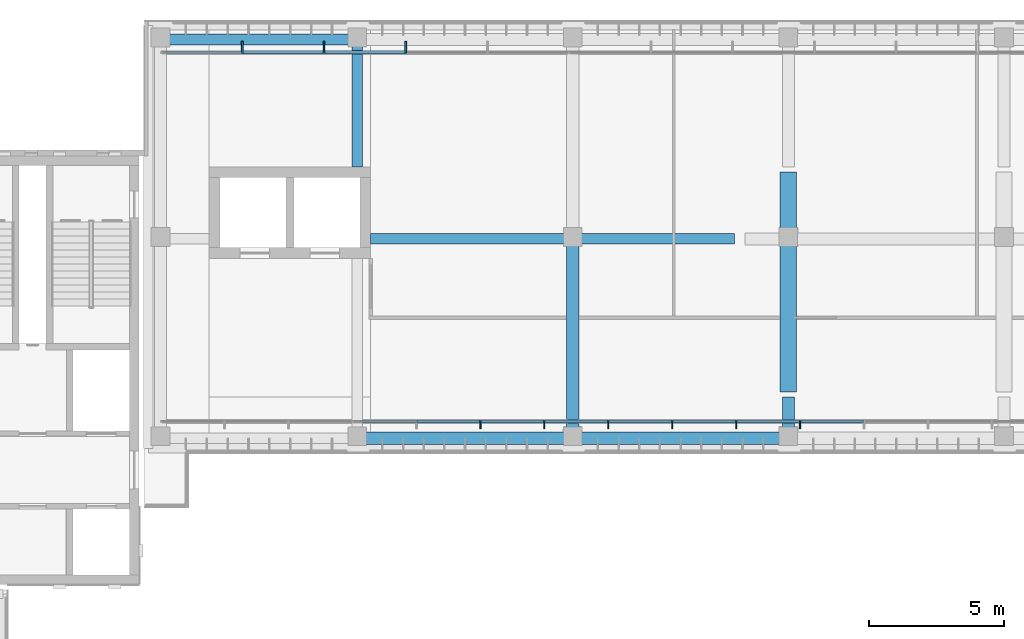
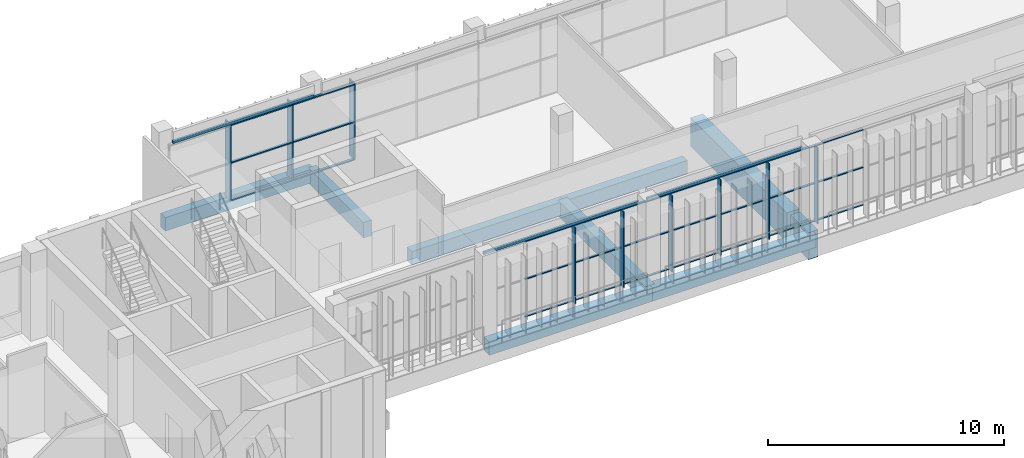
# One storey, part 21 of 73: 36 members, 12 beams, 2 elements without a shape of their own.
"""IFC4 building model written with IfcOpenShell, lengths in metres."""

import ifcopenshell
import ifcopenshell.guid

model = None  # the IFC model being written
_history = None  # IfcOwnerHistory: only IFC2X3 demands one
_inside = {}  # id of a spatial element -> (the spatial element, [elements in it])
_under = {}  # id of a project, library or spatial element -> (it, [spatial elements below it])
_declared = {}  # id of a project -> (the project, [libraries it declares])
_typed = {}  # id of a type object -> (the type object, [elements of that type])
_made_of = {}  # id of a material, layer set ... -> (it, [elements and type objects made of it])


def new_model(schema):
    """Start an empty IFC model of exactly this schema.

    Asked for "IFC4X3", IfcOpenShell would pick the latest addendum, in which some entities
    have other attributes; the version numbers below select the first issue.
    IFC2X3 requires an IfcOwnerHistory on every rooted entity: one is made here for all.
    """
    global model, _history
    if schema == "IFC4X3":
        model = ifcopenshell.file(schema_version=(4, 3, 0, 0))
    else:
        model = ifcopenshell.file(schema=schema)
    _inside.clear()
    _under.clear()
    _declared.clear()
    _typed.clear()
    _made_of.clear()
    _history = None
    if model.schema == "IFC2X3":
        org = make("IfcOrganization", Name="unknown")
        user = make(
            "IfcPersonAndOrganization",
            ThePerson=make("IfcPerson", FamilyName="unknown"),
            TheOrganization=org,
        )
        app = make(
            "IfcApplication",
            ApplicationDeveloper=org,
            Version="unknown",
            ApplicationFullName="unknown",
            ApplicationIdentifier="unknown",
        )
        _history = make(
            "IfcOwnerHistory",
            OwningUser=user,
            OwningApplication=app,
            ChangeAction="ADDED",
            CreationDate=0,
        )
    return model


def make(cls, **values):
    """One entity of the class cls with the attributes given. An attribute that is None is left unset."""
    return model.create_entity(
        cls, **{name: value for name, value in values.items() if value is not None}
    )


def rooted(cls, **values):
    """An entity with a GlobalId (a new one), such as an element, a storey or a relation."""
    return make(cls, GlobalId=ifcopenshell.guid.new(), OwnerHistory=_history, **values)


def si_unit(unit_type, name, prefix=None):
    """IfcSIUnit, for example si_unit("LENGTHUNIT", "METRE", prefix="MILLI")."""
    return make("IfcSIUnit", UnitType=unit_type, Prefix=prefix, Name=name)


def assignment(units):
    """IfcUnitAssignment: the units of a project."""
    return None if units is None else make("IfcUnitAssignment", Units=units)


def point(xyz):
    """IfcCartesianPoint."""
    return None if xyz is None else make("IfcCartesianPoint", Coordinates=xyz)


def direction(xyz):
    """IfcDirection."""
    return None if xyz is None else make("IfcDirection", DirectionRatios=xyz)


def frame(location, z_axis=None, x_axis=None):
    """IfcAxis2Placement3D, a coordinate frame: its origin and axes. An axis left out is left unset."""
    return make(
        "IfcAxis2Placement3D",
        Location=point(location),
        Axis=direction(z_axis),
        RefDirection=direction(x_axis),
    )


def frame_2d(location, x_axis=None):
    """IfcAxis2Placement2D, a coordinate frame in the plane: its origin and x axis."""
    return make(
        "IfcAxis2Placement2D", Location=point(location), RefDirection=direction(x_axis)
    )


def origin():
    """The frame at (0, 0, 0) with its axes left unset."""
    return frame((0.0, 0.0, 0.0))


def origin_2d():
    """The frame at (0, 0) in the plane with its x axis left unset."""
    return frame_2d((0.0, 0.0))


def place(relative_to, where):
    """IfcLocalPlacement: puts the frame where relative to a parent placement (None: the world)."""
    return make(
        "IfcLocalPlacement", PlacementRelTo=relative_to, RelativePlacement=where
    )


def context(
    kind, dimensions, precision=None, world=None, true_north=None, identifier=None
):
    """IfcGeometricRepresentationContext, for example the 3D "Model" context."""
    return make(
        "IfcGeometricRepresentationContext",
        ContextIdentifier=identifier,
        ContextType=kind,
        CoordinateSpaceDimension=dimensions,
        Precision=precision,
        WorldCoordinateSystem=world,
        TrueNorth=true_north,
    )


def subcontext(parent, identifier, kind, view, scale=None):
    """IfcGeometricRepresentationSubContext, for example "Body" below "Model"."""
    return make(
        "IfcGeometricRepresentationSubContext",
        ContextIdentifier=identifier,
        ContextType=kind,
        ParentContext=parent,
        TargetScale=scale,
        TargetView=view,
    )


def project(units=None, contexts=None):
    """IfcProject with its units and contexts."""
    return rooted(
        "IfcProject",
        Name="project",
        RepresentationContexts=contexts,
        UnitsInContext=assignment(units),
    )


def spatial(cls, under=None, at=None, **own):
    """A site, building, storey or space (cls), placed at a placement, below another one or the project."""
    s = rooted(cls, ObjectPlacement=at, **own)
    if under is not None:
        _under.setdefault(under.id(), (under, []))[1].append(s)
    return s


def profile(cls, at=None, kind="AREA", **sizes):
    """A parametric profile (cls). Its sizes go by their IFC names, for example OverallWidth=200.0."""
    return make(cls, ProfileType=kind, Position=at, **sizes)


def rectangle(**sizes):
    """IfcRectangleProfileDef."""
    return profile("IfcRectangleProfileDef", **sizes)


def hollow_rectangle(**sizes):
    """IfcRectangleHollowProfileDef."""
    return profile("IfcRectangleHollowProfileDef", **sizes)


def extrude(swept, where, along, depth):
    """IfcExtrudedAreaSolid: the profile swept, set in the frame where, extruded along a direction by depth."""
    return make(
        "IfcExtrudedAreaSolid",
        SweptArea=swept,
        Position=where,
        ExtrudedDirection=direction(along),
        Depth=depth,
    )


def shape(context_of_items, identifier, shape_type, items):
    """IfcShapeRepresentation: the items that make up one representation, for example the "Body"."""
    return make(
        "IfcShapeRepresentation",
        ContextOfItems=context_of_items,
        RepresentationIdentifier=identifier,
        RepresentationType=shape_type,
        Items=items,
    )


def material(Name=None, Category=None):
    """IfcMaterial."""
    return make("IfcMaterial", Name=Name, Category=Category)


def material_profile(
    of_material, cross_section, Name=None, Category=None, Priority=None
):
    """IfcMaterialProfile: a cross section and its material."""
    return make(
        "IfcMaterialProfile",
        Name=Name,
        Material=of_material,
        Profile=cross_section,
        Priority=Priority,
        Category=Category,
    )


def profile_set(profiles, Name=None, composite=None):
    """IfcMaterialProfileSet."""
    return make(
        "IfcMaterialProfileSet",
        Name=Name,
        MaterialProfiles=profiles,
        CompositeProfile=composite,
    )


def made_of(thing, what):
    """Note that an element or type object is made of a material, layer set ...; save() writes the relation."""
    if what is not None:
        _made_of.setdefault(what.id(), (what, []))[1].append(thing)
    return thing


def type_object(cls, material=None, **own):
    """A type object (cls), such as IfcWallType, which elements share."""
    return made_of(rooted(cls, **own), material)


def element(
    cls,
    number,
    at=None,
    inside=None,
    cuts=None,
    type_object=None,
    material=None,
    context=None,
    identifier="Body",
    shape_type=None,
    held_by="IfcProductDefinitionShape",
    body=None,
    shapes=None,
    **own,
):
    """One element of the class cls, such as IfcWall. Its Tag is "e" and its number.

    at: its placement. inside: the storey or other place that contains it. cuts: it is an
    opening in that element (IfcRelVoidsElement). A single representation is given by context,
    identifier, shape_type and body (its items); several are given by shapes. held_by: the class
    of the entity that holds the representations. save() writes the other relations.
    """
    e = rooted(cls, Tag="e%d" % number, ObjectPlacement=at, **own)
    if body is not None:
        shapes = [shape(context, identifier, shape_type, body)]
    if shapes is not None:
        e.Representation = make(held_by, Representations=shapes)
    if inside is not None:
        _inside.setdefault(inside.id(), (inside, []))[1].append(e)
    if cuts is not None:
        rooted(
            "IfcRelVoidsElement", RelatingBuildingElement=cuts, RelatedOpeningElement=e
        )
    if type_object is not None:
        _typed.setdefault(type_object.id(), (type_object, []))[1].append(e)
    return made_of(e, material)


def aggregate(whole, parts):
    """IfcRelAggregates: a whole, such as a stair, and the parts it consists of."""
    return rooted("IfcRelAggregates", RelatingObject=whole, RelatedObjects=parts)


def save(model, path):
    """Write the relations noted so far, then the file.

    IfcRelAggregates (storeys below a building ...), IfcRelContainedInSpatialStructure (elements
    in a storey), IfcRelDefinesByType, IfcRelAssociatesMaterial and IfcRelDeclares: one each for
    every whole, place, type object, material and project.
    """
    for whole, parts in _under.values():
        aggregate(whole, parts)
    for where, things in _inside.values():
        rooted(
            "IfcRelContainedInSpatialStructure",
            RelatedElements=things,
            RelatingStructure=where,
        )
    for kind, things in _typed.values():
        rooted("IfcRelDefinesByType", RelatedObjects=things, RelatingType=kind)
    for what, things in _made_of.values():
        rooted("IfcRelAssociatesMaterial", RelatedObjects=things, RelatingMaterial=what)
    for by, libraries in _declared.values():
        rooted("IfcRelDeclares", RelatingContext=by, RelatedDefinitions=libraries)
    model.write(path)


model = new_model("IFC4")

# Units and contexts
model_context = context("Model", 3, precision=1e-05, world=origin(), true_north=direction((0.0, 1.0)))
body_context = subcontext(model_context, "Body", "Model", "MODEL_VIEW")
ifc_project = project(units=[si_unit("LENGTHUNIT", "METRE"), si_unit("AREAUNIT", "SQUARE_METRE"), si_unit("VOLUMEUNIT", "CUBIC_METRE"), si_unit("PLANEANGLEUNIT", "RADIAN"), si_unit("MASSUNIT", "GRAM", prefix="KILO")], contexts=[model_context])

# Site, building, storey
site_placement = place(None, origin())
site = spatial("IfcSite", under=ifc_project, at=site_placement, CompositionType="ELEMENT")
building_placement = place(site_placement, origin())
building = spatial("IfcBuilding", under=site, at=building_placement, Name="Lantern Court Media Centre", CompositionType="ELEMENT")
storey_placement = place(building_placement, frame((0.0, 0.0, 24.0)))
storey = spatial("IfcBuildingStorey", under=building, at=storey_placement, Name="L05", CompositionType="ELEMENT", Elevation=24.0)

# Curtain wall, members
ifc_material_1 = material(Name="Curtain wall bay 2400")
curtain_wall_type_1 = type_object("IfcCurtainWallType", Name="Curtain wall bay 2400", PredefinedType="NOTDEFINED", material=ifc_material_1)
curtain_wall_1_placement = place(storey_placement, origin())
curtain_wall_1 = element("IfcCurtainWall", 1, at=curtain_wall_1_placement, inside=storey, type_object=curtain_wall_type_1, Name="Curtain wall N inner L05", PredefinedType="NOTDEFINED")
ifc_material_2 = material(Name="Anodised aluminium", Category="aluminium")
ifc_material_profile_1 = material_profile(ifc_material_2, rectangle(XDim=0.300048828125, YDim=0.050048828125, at=origin_2d()), Name="AL 50x300")
ifc_profile_set_1 = profile_set([ifc_material_profile_1], Name="Anodised aluminium")
member_type_1 = type_object("IfcMemberType", Name="Curtain wall mullion 50x300", PredefinedType="MULLION", material=ifc_profile_set_1)
member_1_placement = place(storey_placement, frame((36.569580078125, 102.030029296875, 0.0), z_axis=(0.0, 0.0, 1.0), x_axis=(0.0, 1.0, 0.0)))
member_1 = element("IfcMember", 2, at=member_1_placement, type_object=member_type_1, Name="CW2 mullion 6", PredefinedType="MULLION", context=body_context, shape_type="SweptSolid", body=[
    extrude(rectangle(XDim=0.300048828125, YDim=0.050048828125, at=origin_2d()), origin(), (0.0, 0.0, 1.0), 3.949951171875),
])
member_2_placement = place(storey_placement, frame((38.943359375, 102.030029296875, 0.0), z_axis=(0.0, 0.0, 1.0), x_axis=(0.0, 1.0, 0.0)))
member_2 = element("IfcMember", 3, at=member_2_placement, type_object=member_type_1, Name="CW2 mullion 7", PredefinedType="MULLION", context=body_context, shape_type="SweptSolid", body=[
    extrude(rectangle(XDim=0.300048828125, YDim=0.050048828125, at=origin_2d()), origin(), (0.0, 0.0, 1.0), 3.949951171875),
])
member_3_placement = place(storey_placement, frame((41.3173828125, 102.030029296875, 0.0), z_axis=(0.0, 0.0, 1.0), x_axis=(0.0, 1.0, 0.0)))
member_3 = element("IfcMember", 4, at=member_3_placement, type_object=member_type_1, Name="CW2 mullion 8", PredefinedType="MULLION", context=body_context, shape_type="SweptSolid", body=[
    extrude(rectangle(XDim=0.300048828125, YDim=0.050048828125, at=origin_2d()), origin(), (0.0, 0.0, 1.0), 3.949951171875),
])
member_4_placement = place(storey_placement, frame((43.69140625, 102.030029296875, 0.0), z_axis=(0.0, 0.0, 1.0), x_axis=(0.0, 1.0, 0.0)))
member_4 = element("IfcMember", 5, at=member_4_placement, type_object=member_type_1, Name="CW2 mullion 9", PredefinedType="MULLION", context=body_context, shape_type="SweptSolid", body=[
    extrude(rectangle(XDim=0.300048828125, YDim=0.050048828125, at=origin_2d()), origin(), (0.0, 0.0, 1.0), 3.949951171875),
])
member_5_placement = place(storey_placement, frame((46.065185546875, 102.030029296875, 0.0), z_axis=(0.0, 0.0, 1.0), x_axis=(0.0, 1.0, 0.0)))
member_5 = element("IfcMember", 6, at=member_5_placement, type_object=member_type_1, Name="CW2 mullion 10", PredefinedType="MULLION", context=body_context, shape_type="SweptSolid", body=[
    extrude(rectangle(XDim=0.300048828125, YDim=0.050048828125, at=origin_2d()), origin(), (0.0, 0.0, 1.0), 3.949951171875),
])
member_6_placement = place(storey_placement, frame((48.439208984375, 102.030029296875, 0.0), z_axis=(0.0, 0.0, 1.0), x_axis=(0.0, 1.0, 0.0)))
member_6 = element("IfcMember", 7, at=member_6_placement, type_object=member_type_1, Name="CW2 mullion 11", PredefinedType="MULLION", context=body_context, shape_type="SweptSolid", body=[
    extrude(rectangle(XDim=0.300048828125, YDim=0.050048828125, at=origin_2d()), origin(), (0.0, 0.0, 1.0), 3.949951171875),
])

ifc_material_3 = material(Name="Curtain wall bay 3000")
curtain_wall_type_2 = type_object("IfcCurtainWallType", Name="Curtain wall bay 3000", PredefinedType="NOTDEFINED", material=ifc_material_3)
curtain_wall_2_placement = place(storey_placement, origin())
curtain_wall_2 = element("IfcCurtainWall", 8, at=curtain_wall_2_placement, inside=storey, type_object=curtain_wall_type_2, Name="Curtain wall N outer L05", PredefinedType="NOTDEFINED")
ifc_material_profile_2 = material_profile(ifc_material_2, rectangle(XDim=0.449951171875, YDim=0.06005859375, at=origin_2d()), Name="AL 60x450")
ifc_profile_set_2 = profile_set([ifc_material_profile_2], Name="Anodised aluminium")
member_type_2 = type_object("IfcMemberType", Name="Curtain wall mullion 60x450", PredefinedType="MULLION", material=ifc_profile_set_2)
member_7_placement = place(storey_placement, frame((27.7333984375, 116.044921875, 0.0), z_axis=(0.0, 0.0, 1.0), x_axis=(0.0, 1.0, 0.0)))
member_7 = element("IfcMember", 9, at=member_7_placement, type_object=member_type_2, Name="CW1 mullion 2", PredefinedType="MULLION", context=body_context, shape_type="SweptSolid", body=[
    extrude(rectangle(XDim=0.449951171875, YDim=0.06005859375, at=origin_2d()), origin(), (0.0, 0.0, 1.0), 3.949951171875),
])
member_8_placement = place(storey_placement, frame((30.7666015625, 116.044921875, 0.0), z_axis=(0.0, 0.0, 1.0), x_axis=(0.0, 1.0, 0.0)))
member_8 = element("IfcMember", 10, at=member_8_placement, type_object=member_type_2, Name="CW1 mullion 3", PredefinedType="MULLION", context=body_context, shape_type="SweptSolid", body=[
    extrude(rectangle(XDim=0.449951171875, YDim=0.06005859375, at=origin_2d()), origin(), (0.0, 0.0, 1.0), 3.949951171875),
])
member_9_placement = place(storey_placement, frame((33.800048828125, 116.044921875, 0.0), z_axis=(0.0, 0.0, 1.0), x_axis=(0.0, 1.0, 0.0)))
member_9 = element("IfcMember", 11, at=member_9_placement, type_object=member_type_2, Name="CW1 mullion 4", PredefinedType="MULLION", context=body_context, shape_type="SweptSolid", body=[
    extrude(rectangle(XDim=0.449951171875, YDim=0.06005859375, at=origin_2d()), origin(), (0.0, 0.0, 1.0), 3.949951171875),
])

# Member
ifc_material_profile_3 = material_profile(ifc_material_2, rectangle(XDim=0.10009765625, YDim=0.050048828125, at=origin_2d()), Name="AL 50x100")
ifc_profile_set_3 = profile_set([ifc_material_profile_3], Name="Anodised aluminium")
member_type_3 = type_object("IfcMemberType", Name="Curtain wall transom 100x50", PredefinedType="USERDEFINED", material=ifc_profile_set_3)
member_10_placement = place(storey_placement, frame((34.220703125, 102.14990234375, 0.02490234375), z_axis=(1.0, 0.0, 0.0), x_axis=(0.0, 1.0, 0.0)))
member_10 = element("IfcMember", 12, at=member_10_placement, type_object=member_type_3, Name="CW2 transom 5.1", ObjectType="TRANSOM", PredefinedType="USERDEFINED", context=body_context, shape_type="SweptSolid", body=[
    extrude(rectangle(XDim=0.10009765625, YDim=0.050048828125, at=origin_2d()), origin(), (0.0, 0.0, 1.0), 2.323974609375),
])

member_11_placement = place(storey_placement, frame((34.220703125, 102.14990234375, 1.97509765625), z_axis=(1.0, 0.0, 0.0), x_axis=(0.0, 1.0, 0.0)))
member_11 = element("IfcMember", 13, at=member_11_placement, type_object=member_type_3, Name="CW2 transom 5.2", ObjectType="TRANSOM", PredefinedType="USERDEFINED", context=body_context, shape_type="SweptSolid", body=[
    extrude(rectangle(XDim=0.10009765625, YDim=0.050048828125, at=origin_2d()), origin(), (0.0, 0.0, 1.0), 2.323974609375),
])

member_12_placement = place(storey_placement, frame((34.220703125, 102.14990234375, 3.925048828125), z_axis=(1.0, 0.0, 0.0), x_axis=(0.0, 1.0, 0.0)))
member_12 = element("IfcMember", 14, at=member_12_placement, type_object=member_type_3, Name="CW2 transom 5.3", ObjectType="TRANSOM", PredefinedType="USERDEFINED", context=body_context, shape_type="SweptSolid", body=[
    extrude(rectangle(XDim=0.10009765625, YDim=0.050048828125, at=origin_2d()), origin(), (0.0, 0.0, 1.0), 2.323974609375),
])

member_13_placement = place(storey_placement, frame((36.594482421875, 102.14990234375, 0.02490234375), z_axis=(1.0, 0.0, 0.0), x_axis=(0.0, 1.0, 0.0)))
member_13 = element("IfcMember", 15, at=member_13_placement, type_object=member_type_3, Name="CW2 transom 6.1", ObjectType="TRANSOM", PredefinedType="USERDEFINED", context=body_context, shape_type="SweptSolid", body=[
    extrude(rectangle(XDim=0.10009765625, YDim=0.050048828125, at=origin_2d()), origin(), (0.0, 0.0, 1.0), 2.323974609375),
])

member_14_placement = place(storey_placement, frame((36.594482421875, 102.14990234375, 1.97509765625), z_axis=(1.0, 0.0, 0.0), x_axis=(0.0, 1.0, 0.0)))
member_14 = element("IfcMember", 16, at=member_14_placement, type_object=member_type_3, Name="CW2 transom 6.2", ObjectType="TRANSOM", PredefinedType="USERDEFINED", context=body_context, shape_type="SweptSolid", body=[
    extrude(rectangle(XDim=0.10009765625, YDim=0.050048828125, at=origin_2d()), origin(), (0.0, 0.0, 1.0), 2.323974609375),
])

member_15_placement = place(storey_placement, frame((36.594482421875, 102.14990234375, 3.925048828125), z_axis=(1.0, 0.0, 0.0), x_axis=(0.0, 1.0, 0.0)))
member_15 = element("IfcMember", 17, at=member_15_placement, type_object=member_type_3, Name="CW2 transom 6.3", ObjectType="TRANSOM", PredefinedType="USERDEFINED", context=body_context, shape_type="SweptSolid", body=[
    extrude(rectangle(XDim=0.10009765625, YDim=0.050048828125, at=origin_2d()), origin(), (0.0, 0.0, 1.0), 2.323974609375),
])

member_16_placement = place(storey_placement, frame((38.968505859375, 102.14990234375, 0.02490234375), z_axis=(1.0, 0.0, 0.0), x_axis=(0.0, 1.0, 0.0)))
member_16 = element("IfcMember", 18, at=member_16_placement, type_object=member_type_3, Name="CW2 transom 7.1", ObjectType="TRANSOM", PredefinedType="USERDEFINED", context=body_context, shape_type="SweptSolid", body=[
    extrude(rectangle(XDim=0.10009765625, YDim=0.050048828125, at=origin_2d()), origin(), (0.0, 0.0, 1.0), 2.323974609375),
])

member_17_placement = place(storey_placement, frame((38.968505859375, 102.14990234375, 1.97509765625), z_axis=(1.0, 0.0, 0.0), x_axis=(0.0, 1.0, 0.0)))
member_17 = element("IfcMember", 19, at=member_17_placement, type_object=member_type_3, Name="CW2 transom 7.2", ObjectType="TRANSOM", PredefinedType="USERDEFINED", context=body_context, shape_type="SweptSolid", body=[
    extrude(rectangle(XDim=0.10009765625, YDim=0.050048828125, at=origin_2d()), origin(), (0.0, 0.0, 1.0), 2.323974609375),
])

member_18_placement = place(storey_placement, frame((38.968505859375, 102.14990234375, 3.925048828125), z_axis=(1.0, 0.0, 0.0), x_axis=(0.0, 1.0, 0.0)))
member_18 = element("IfcMember", 20, at=member_18_placement, type_object=member_type_3, Name="CW2 transom 7.3", ObjectType="TRANSOM", PredefinedType="USERDEFINED", context=body_context, shape_type="SweptSolid", body=[
    extrude(rectangle(XDim=0.10009765625, YDim=0.050048828125, at=origin_2d()), origin(), (0.0, 0.0, 1.0), 2.323974609375),
])

member_19_placement = place(storey_placement, frame((41.34228515625, 102.14990234375, 0.02490234375), z_axis=(1.0, 0.0, 0.0), x_axis=(0.0, 1.0, 0.0)))
member_19 = element("IfcMember", 21, at=member_19_placement, type_object=member_type_3, Name="CW2 transom 8.1", ObjectType="TRANSOM", PredefinedType="USERDEFINED", context=body_context, shape_type="SweptSolid", body=[
    extrude(rectangle(XDim=0.10009765625, YDim=0.050048828125, at=origin_2d()), origin(), (0.0, 0.0, 1.0), 2.323974609375),
])

member_20_placement = place(storey_placement, frame((41.34228515625, 102.14990234375, 1.97509765625), z_axis=(1.0, 0.0, 0.0), x_axis=(0.0, 1.0, 0.0)))
member_20 = element("IfcMember", 22, at=member_20_placement, type_object=member_type_3, Name="CW2 transom 8.2", ObjectType="TRANSOM", PredefinedType="USERDEFINED", context=body_context, shape_type="SweptSolid", body=[
    extrude(rectangle(XDim=0.10009765625, YDim=0.050048828125, at=origin_2d()), origin(), (0.0, 0.0, 1.0), 2.323974609375),
])

member_21_placement = place(storey_placement, frame((41.34228515625, 102.14990234375, 3.925048828125), z_axis=(1.0, 0.0, 0.0), x_axis=(0.0, 1.0, 0.0)))
member_21 = element("IfcMember", 23, at=member_21_placement, type_object=member_type_3, Name="CW2 transom 8.3", ObjectType="TRANSOM", PredefinedType="USERDEFINED", context=body_context, shape_type="SweptSolid", body=[
    extrude(rectangle(XDim=0.10009765625, YDim=0.050048828125, at=origin_2d()), origin(), (0.0, 0.0, 1.0), 2.323974609375),
])

member_22_placement = place(storey_placement, frame((43.71630859375, 102.14990234375, 0.02490234375), z_axis=(1.0, 0.0, 0.0), x_axis=(0.0, 1.0, 0.0)))
member_22 = element("IfcMember", 24, at=member_22_placement, type_object=member_type_3, Name="CW2 transom 9.1", ObjectType="TRANSOM", PredefinedType="USERDEFINED", context=body_context, shape_type="SweptSolid", body=[
    extrude(rectangle(XDim=0.10009765625, YDim=0.050048828125, at=origin_2d()), origin(), (0.0, 0.0, 1.0), 2.323974609375),
])

member_23_placement = place(storey_placement, frame((43.71630859375, 102.14990234375, 1.97509765625), z_axis=(1.0, 0.0, 0.0), x_axis=(0.0, 1.0, 0.0)))
member_23 = element("IfcMember", 25, at=member_23_placement, type_object=member_type_3, Name="CW2 transom 9.2", ObjectType="TRANSOM", PredefinedType="USERDEFINED", context=body_context, shape_type="SweptSolid", body=[
    extrude(rectangle(XDim=0.10009765625, YDim=0.050048828125, at=origin_2d()), origin(), (0.0, 0.0, 1.0), 2.323974609375),
])

member_24_placement = place(storey_placement, frame((43.71630859375, 102.14990234375, 3.925048828125), z_axis=(1.0, 0.0, 0.0), x_axis=(0.0, 1.0, 0.0)))
member_24 = element("IfcMember", 26, at=member_24_placement, type_object=member_type_3, Name="CW2 transom 9.3", ObjectType="TRANSOM", PredefinedType="USERDEFINED", context=body_context, shape_type="SweptSolid", body=[
    extrude(rectangle(XDim=0.10009765625, YDim=0.050048828125, at=origin_2d()), origin(), (0.0, 0.0, 1.0), 2.323974609375),
])

member_25_placement = place(storey_placement, frame((46.09033203125, 102.14990234375, 0.02490234375), z_axis=(1.0, 0.0, 0.0), x_axis=(0.0, 1.0, 0.0)))
member_25 = element("IfcMember", 27, at=member_25_placement, type_object=member_type_3, Name="CW2 transom 10.1", ObjectType="TRANSOM", PredefinedType="USERDEFINED", context=body_context, shape_type="SweptSolid", body=[
    extrude(rectangle(XDim=0.10009765625, YDim=0.050048828125, at=origin_2d()), origin(), (0.0, 0.0, 1.0), 2.32373046875),
])

member_26_placement = place(storey_placement, frame((46.09033203125, 102.14990234375, 1.97509765625), z_axis=(1.0, 0.0, 0.0), x_axis=(0.0, 1.0, 0.0)))
member_26 = element("IfcMember", 28, at=member_26_placement, type_object=member_type_3, Name="CW2 transom 10.2", ObjectType="TRANSOM", PredefinedType="USERDEFINED", context=body_context, shape_type="SweptSolid", body=[
    extrude(rectangle(XDim=0.10009765625, YDim=0.050048828125, at=origin_2d()), origin(), (0.0, 0.0, 1.0), 2.32373046875),
])

member_27_placement = place(storey_placement, frame((46.09033203125, 102.14990234375, 3.925048828125), z_axis=(1.0, 0.0, 0.0), x_axis=(0.0, 1.0, 0.0)))
member_27 = element("IfcMember", 29, at=member_27_placement, type_object=member_type_3, Name="CW2 transom 10.3", ObjectType="TRANSOM", PredefinedType="USERDEFINED", context=body_context, shape_type="SweptSolid", body=[
    extrude(rectangle(XDim=0.10009765625, YDim=0.050048828125, at=origin_2d()), origin(), (0.0, 0.0, 1.0), 2.32373046875),
])

member_28_placement = place(storey_placement, frame((48.464111328125, 102.14990234375, 0.02490234375), z_axis=(1.0, 0.0, 0.0), x_axis=(0.0, 1.0, 0.0)))
member_28 = element("IfcMember", 30, at=member_28_placement, type_object=member_type_3, Name="CW2 transom 11.1", ObjectType="TRANSOM", PredefinedType="USERDEFINED", context=body_context, shape_type="SweptSolid", body=[
    extrude(rectangle(XDim=0.10009765625, YDim=0.050048828125, at=origin_2d()), origin(), (0.0, 0.0, 1.0), 2.323974609375),
])

member_29_placement = place(storey_placement, frame((48.464111328125, 102.14990234375, 1.97509765625), z_axis=(1.0, 0.0, 0.0), x_axis=(0.0, 1.0, 0.0)))
member_29 = element("IfcMember", 31, at=member_29_placement, type_object=member_type_3, Name="CW2 transom 11.2", ObjectType="TRANSOM", PredefinedType="USERDEFINED", context=body_context, shape_type="SweptSolid", body=[
    extrude(rectangle(XDim=0.10009765625, YDim=0.050048828125, at=origin_2d()), origin(), (0.0, 0.0, 1.0), 2.323974609375),
])

member_30_placement = place(storey_placement, frame((48.464111328125, 102.14990234375, 3.925048828125), z_axis=(1.0, 0.0, 0.0), x_axis=(0.0, 1.0, 0.0)))
member_30 = element("IfcMember", 32, at=member_30_placement, type_object=member_type_3, Name="CW2 transom 11.3", ObjectType="TRANSOM", PredefinedType="USERDEFINED", context=body_context, shape_type="SweptSolid", body=[
    extrude(rectangle(XDim=0.10009765625, YDim=0.050048828125, at=origin_2d()), origin(), (0.0, 0.0, 1.0), 2.323974609375),
])

aggregate(curtain_wall_1, [member_1, member_2, member_3, member_4, member_5, member_6, member_10, member_11, member_12, member_13, member_14, member_15, member_16, member_17, member_18, member_19, member_20, member_21, member_22, member_23, member_24, member_25, member_26, member_27, member_28, member_29, member_30])

ifc_material_profile_4 = material_profile(ifc_material_2, rectangle(XDim=0.1201171875, YDim=0.06005859375, at=origin_2d()), Name="AL 60x120")
ifc_profile_set_4 = profile_set([ifc_material_profile_4], Name="Anodised aluminium")
member_type_4 = type_object("IfcMemberType", Name="Curtain wall transom 60x120", PredefinedType="USERDEFINED", material=ifc_profile_set_4)
member_31_placement = place(storey_placement, frame((27.763427734375, 115.85009765625, 0.030029296875), z_axis=(1.0, 0.0, 0.0), x_axis=(0.0, 1.0, 0.0)))
member_31 = element("IfcMember", 33, at=member_31_placement, type_object=member_type_4, Name="CW1 transom 2.1", ObjectType="TRANSOM", PredefinedType="USERDEFINED", context=body_context, shape_type="SweptSolid", body=[
    extrude(rectangle(XDim=0.1201171875, YDim=0.06005859375, at=origin_2d()), origin(), (0.0, 0.0, 1.0), 2.97314453125),
])

member_32_placement = place(storey_placement, frame((27.763427734375, 115.85009765625, 1.97509765625), z_axis=(1.0, 0.0, 0.0), x_axis=(0.0, 1.0, 0.0)))
member_32 = element("IfcMember", 34, at=member_32_placement, type_object=member_type_4, Name="CW1 transom 2.2", ObjectType="TRANSOM", PredefinedType="USERDEFINED", context=body_context, shape_type="SweptSolid", body=[
    extrude(rectangle(XDim=0.1201171875, YDim=0.06005859375, at=origin_2d()), origin(), (0.0, 0.0, 1.0), 2.97314453125),
])

member_33_placement = place(storey_placement, frame((27.763427734375, 115.85009765625, 3.919921875), z_axis=(1.0, 0.0, 0.0), x_axis=(0.0, 1.0, 0.0)))
member_33 = element("IfcMember", 35, at=member_33_placement, type_object=member_type_4, Name="CW1 transom 2.3", ObjectType="TRANSOM", PredefinedType="USERDEFINED", context=body_context, shape_type="SweptSolid", body=[
    extrude(rectangle(XDim=0.1201171875, YDim=0.06005859375, at=origin_2d()), origin(), (0.0, 0.0, 1.0), 2.97314453125),
])

member_34_placement = place(storey_placement, frame((30.796630859375, 115.85009765625, 0.030029296875), z_axis=(1.0, 0.0, 0.0), x_axis=(0.0, 1.0, 0.0)))
member_34 = element("IfcMember", 36, at=member_34_placement, type_object=member_type_4, Name="CW1 transom 3.1", ObjectType="TRANSOM", PredefinedType="USERDEFINED", context=body_context, shape_type="SweptSolid", body=[
    extrude(rectangle(XDim=0.1201171875, YDim=0.06005859375, at=origin_2d()), origin(), (0.0, 0.0, 1.0), 2.973388671875),
])

member_35_placement = place(storey_placement, frame((30.796630859375, 115.85009765625, 1.97509765625), z_axis=(1.0, 0.0, 0.0), x_axis=(0.0, 1.0, 0.0)))
member_35 = element("IfcMember", 37, at=member_35_placement, type_object=member_type_4, Name="CW1 transom 3.2", ObjectType="TRANSOM", PredefinedType="USERDEFINED", context=body_context, shape_type="SweptSolid", body=[
    extrude(rectangle(XDim=0.1201171875, YDim=0.06005859375, at=origin_2d()), origin(), (0.0, 0.0, 1.0), 2.973388671875),
])

member_36_placement = place(storey_placement, frame((30.796630859375, 115.85009765625, 3.919921875), z_axis=(1.0, 0.0, 0.0), x_axis=(0.0, 1.0, 0.0)))
member_36 = element("IfcMember", 38, at=member_36_placement, type_object=member_type_4, Name="CW1 transom 3.3", ObjectType="TRANSOM", PredefinedType="USERDEFINED", context=body_context, shape_type="SweptSolid", body=[
    extrude(rectangle(XDim=0.1201171875, YDim=0.06005859375, at=origin_2d()), origin(), (0.0, 0.0, 1.0), 2.973388671875),
])

aggregate(curtain_wall_2, [member_7, member_8, member_9, member_31, member_32, member_33, member_34, member_35, member_36])

# Beams
ifc_material_4 = material(Name="Steel S355J2 (EN 10025-2)", Category="steel")
ifc_material_profile_5 = material_profile(ifc_material_4, hollow_rectangle(XDim=0.10009765625, YDim=0.14990234375, WallThickness=0.00634765625, InnerFilletRadius=0.00634765625, OuterFilletRadius=0.009521484375, at=origin_2d()), Name="Facade head lintel RHS 150x100x6.3")
ifc_profile_set_5 = profile_set([ifc_material_profile_5], Name="Steel S355J2 (EN 10025-2)")
beam_type_1 = type_object("IfcBeamType", Name="Facade head lintel RHS 150x100x6.3", PredefinedType="BEAM", material=ifc_profile_set_5)
beam_1_placement = place(storey_placement, frame((24.89990234375, 115.85009765625, 4.02490234375), z_axis=(1.0, 0.0, 0.0), x_axis=(0.0, 1.0, 0.0)))
element("IfcBeam", 39, at=beam_1_placement, inside=storey, type_object=beam_type_1, Name="Facade head lintel N L05", PredefinedType="BEAM", context=body_context, shape_type="SweptSolid", body=[
    extrude(hollow_rectangle(XDim=0.10009765625, YDim=0.14990234375, WallThickness=0.00634765625, InnerFilletRadius=0.00634765625, OuterFilletRadius=0.009521484375, at=origin_2d()), origin(), (0.0, 0.0, 1.0), 6.900146484375),
])
for number, where, z_axis, x_axis, name in (
    (40, (32.199951171875, 102.14990234375, 4.02490234375), (1.0, 0.0, 0.0), (0.0, 1.0, 0.0), "Facade head lintel N L05"),
    (41, (40.199951171875, 102.14990234375, 4.02490234375), (1.0, 0.0, 0.0), (0.0, 1.0, 0.0), "Facade head lintel N L05"),
):
    element("IfcBeam", number, at=place(storey_placement, frame(where, z_axis=z_axis, x_axis=x_axis)), inside=storey, type_object=beam_type_1, Name=name, PredefinedType="BEAM", context=body_context, shape_type="SweptSolid", body=[
        extrude(hollow_rectangle(XDim=0.10009765625, YDim=0.14990234375, WallThickness=0.00634765625, InnerFilletRadius=0.00634765625, OuterFilletRadius=0.009521484375, at=origin_2d()), origin(), (0.0, 0.0, 1.0), 7.60009765625),
    ])
ifc_material_5 = material(Name="Concrete C35", Category="concrete")
ifc_material_profile_6 = material_profile(ifc_material_5, rectangle(XDim=0.39990234375, YDim=0.699951171875, at=origin_2d()), Name="RC 400x700")
ifc_profile_set_6 = profile_set([ifc_material_profile_6], Name="Concrete C35")
beam_type_2 = type_object("IfcBeamType", Name="RC BEAM 400x700", PredefinedType="BEAM", material=ifc_profile_set_6)
beam_2_placement = place(storey_placement, frame((32.5, 108.927001953125, -0.35009765625), z_axis=(1.0, 0.0, 0.0), x_axis=(0.0, 1.0, 0.0)))
element("IfcBeam", 42, at=beam_2_placement, inside=storey, type_object=beam_type_2, Name="LB-N-L05-1-01", PredefinedType="BEAM", context=body_context, shape_type="SweptSolid", body=[
    extrude(rectangle(XDim=0.39990234375, YDim=0.699951171875, at=origin_2d()), origin(), (0.0, 0.0, 1.0), 7.5),
])
beam_3_placement = place(storey_placement, frame((40.0, 108.927001953125, -0.35009765625), z_axis=(1.0, 0.0, 0.0), x_axis=(0.0, 1.0, 0.0)))
element("IfcBeam", 43, at=beam_3_placement, inside=storey, type_object=beam_type_2, Name="LB-N-L05-1-2", PredefinedType="BEAM", context=body_context, shape_type="SweptSolid", body=[
    extrude(rectangle(XDim=0.39990234375, YDim=0.699951171875, at=origin_2d()), origin(), (0.0, 0.0, 1.0), 6.0),
])
beam_4_placement = place(storey_placement, frame((24.699951171875, 116.3271484375, -0.35009765625), z_axis=(1.0, 0.0, 0.0), x_axis=(0.0, 1.0, 0.0)))
element("IfcBeam", 44, at=beam_4_placement, inside=storey, type_object=beam_type_2, Name="LB-N-L05-2-0", PredefinedType="BEAM", context=body_context, shape_type="SweptSolid", body=[
    extrude(rectangle(XDim=0.39990234375, YDim=0.699951171875, at=origin_2d()), origin(), (0.0, 0.0, 1.0), 7.300048828125),
])
ifc_material_profile_7 = material_profile(ifc_material_5, rectangle(XDim=0.39990234375, YDim=0.800048828125, at=origin_2d()), Name="RC 400x800")
ifc_profile_set_7 = profile_set([ifc_material_profile_7], Name="Concrete C35")
beam_type_3 = type_object("IfcBeamType", Name="RC BEAM 400x800", PredefinedType="BEAM", material=ifc_profile_set_7)
beam_5_placement = place(storey_placement, frame((32.0, 111.60009765625, -0.39990234375), z_axis=(0.0, 1.0, 0.0), x_axis=(-1.0, 0.0, 0.0)))
element("IfcBeam", 45, at=beam_5_placement, inside=storey, type_object=beam_type_3, Name="TB-N-L05-1-11", PredefinedType="BEAM", context=body_context, shape_type="SweptSolid", body=[
    extrude(rectangle(XDim=0.39990234375, YDim=0.800048828125, at=origin_2d()), origin(), (0.0, 0.0, 1.0), 4.716552734375),
])
ifc_material_profile_8 = material_profile(ifc_material_5, rectangle(XDim=0.449951171875, YDim=1.39990234375, at=origin_2d()), Name="RC 450x1400")
ifc_profile_set_8 = profile_set([ifc_material_profile_8], Name="Concrete C35")
beam_type_4 = type_object("IfcBeamType", Name="RC BEAM 450x1400", PredefinedType="BEAM", material=ifc_profile_set_8)
beam_6_placement = place(storey_placement, frame((48.0, 101.5166015625, -0.699951171875), z_axis=(0.0, 1.0, 0.0), x_axis=(-1.0, 0.0, 0.0)))
element("IfcBeam", 46, at=beam_6_placement, inside=storey, type_object=beam_type_4, Name="TB-N-L05-3-1", PredefinedType="BEAM", context=body_context, shape_type="SweptSolid", body=[
    extrude(rectangle(XDim=0.449951171875, YDim=1.39990234375, at=origin_2d()), origin(), (0.0, 0.0, 1.0), 1.533447265625),
])
ifc_material_profile_9 = material_profile(ifc_material_5, rectangle(XDim=0.449951171875, YDim=0.699951171875, at=origin_2d()), Name="RC 450x700")
ifc_profile_set_9 = profile_set([ifc_material_profile_9], Name="Concrete C35")
beam_type_5 = type_object("IfcBeamType", Name="RC BEAM 450x700", PredefinedType="BEAM", material=ifc_profile_set_9)
for number, where, z_axis, x_axis, name in (
    (47, (32.0, 101.527099609375, -0.35009765625), (1.0, 0.0, 0.0), (0.0, 1.0, 0.0), "LB-N-L05-0-1"),
    (48, (40.0, 101.527099609375, -0.35009765625), (1.0, 0.0, 0.0), (0.0, 1.0, 0.0), "LB-N-L05-0-2"),
):
    element("IfcBeam", number, at=place(storey_placement, frame(where, z_axis=z_axis, x_axis=x_axis)), inside=storey, type_object=beam_type_5, Name=name, PredefinedType="BEAM", context=body_context, shape_type="SweptSolid", body=[
        extrude(rectangle(XDim=0.449951171875, YDim=0.699951171875, at=origin_2d()), origin(), (0.0, 0.0, 1.0), 8.0),
    ])
ifc_material_profile_10 = material_profile(ifc_material_5, rectangle(XDim=0.449951171875, YDim=0.800048828125, at=origin_2d()), Name="RC 450x800")
ifc_profile_set_10 = profile_set([ifc_material_profile_10], Name="Concrete C35")
beam_type_6 = type_object("IfcBeamType", Name="RC BEAM 450x800", PredefinedType="BEAM", material=ifc_profile_set_10)
beam_7_placement = place(storey_placement, frame((40.0, 101.5166015625, -0.39990234375), z_axis=(0.0, 1.0, 0.0), x_axis=(-1.0, 0.0, 0.0)))
element("IfcBeam", 49, at=beam_7_placement, inside=storey, type_object=beam_type_6, Name="TB-N-L05-2-1", PredefinedType="BEAM", context=body_context, shape_type="SweptSolid", body=[
    extrude(rectangle(XDim=0.449951171875, YDim=0.800048828125, at=origin_2d()), origin(), (0.0, 0.0, 1.0), 7.400146484375),
])
ifc_material_profile_11 = material_profile(ifc_material_5, rectangle(XDim=0.60009765625, YDim=1.5, at=origin_2d()), Name="RC 600x1500")
ifc_profile_set_11 = profile_set([ifc_material_profile_11], Name="Concrete C35")
beam_type_7 = type_object("IfcBeamType", Name="RC BEAM 600x1500", PredefinedType="BEAM", material=ifc_profile_set_11)
beam_8_placement = place(storey_placement, frame((48.0, 103.25, -0.75), z_axis=(0.0, 1.0, 0.0), x_axis=(-1.0, 0.0, 0.0)))
element("IfcBeam", 50, at=beam_8_placement, inside=storey, type_object=beam_type_7, Name="TR-N-L05-4", PredefinedType="BEAM", context=body_context, shape_type="SweptSolid", body=[
    extrude(rectangle(XDim=0.60009765625, YDim=1.5, at=origin_2d()), origin(), (0.0, 0.0, 1.0), 8.14990234375),
])

save(model, "model.ifc")
